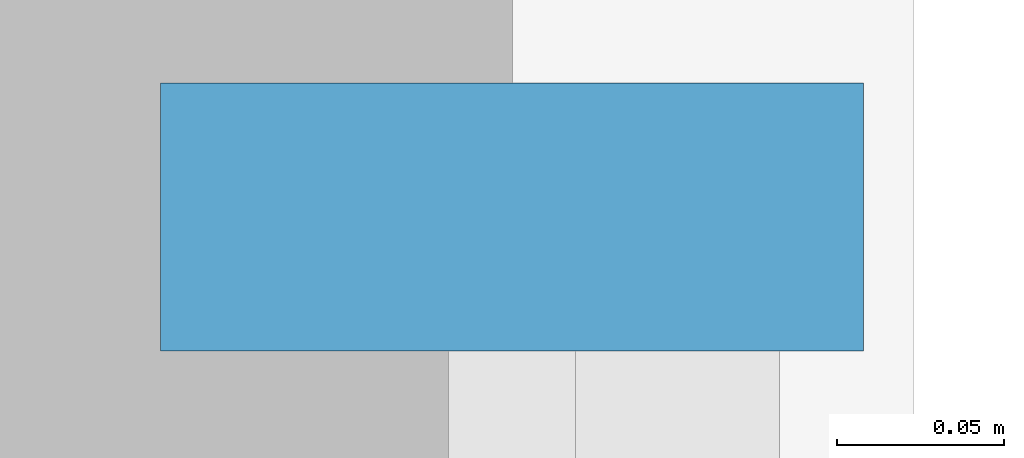
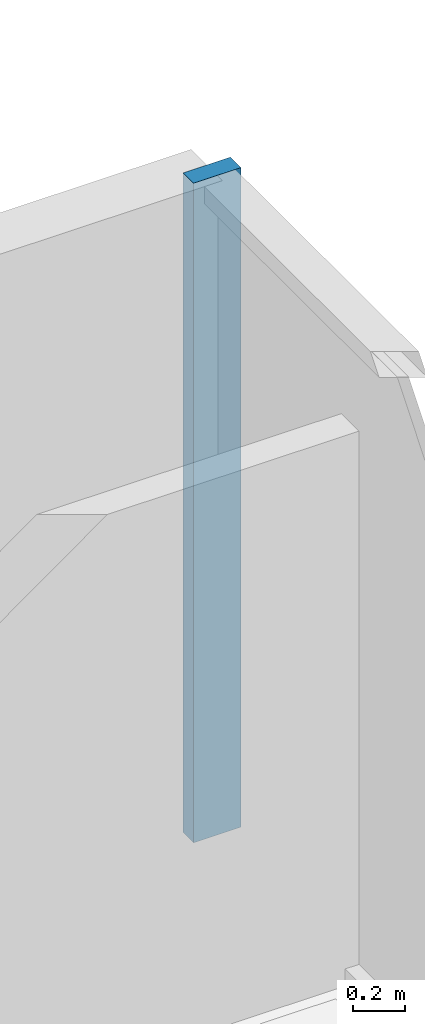
# One storey, part 5 of 12: 1 member, 1 element without a shape of its own.
"""IFC4 building model written with IfcOpenShell, lengths in metres."""

from ifc_helpers import new_model, si_unit, direction, frame, origin, origin_2d, place, context, subcontext, project, spatial, rectangle, extrude, source, transform, mapped, material, layer, layer_set, material_profile, profile_set, type_object, element, aggregate, save


model = new_model("IFC4")

# Units and contexts
model_context = context("Model", 3, precision=1e-05, world=origin(), true_north=direction((0.0, 1.0)))
body_context = subcontext(model_context, "Body", "Model", "MODEL_VIEW")
ifc_project = project(units=[si_unit("LENGTHUNIT", "METRE"), si_unit("AREAUNIT", "SQUARE_METRE"), si_unit("VOLUMEUNIT", "CUBIC_METRE"), si_unit("PLANEANGLEUNIT", "RADIAN"), si_unit("MASSUNIT", "GRAM", prefix="KILO")], contexts=[model_context])

# Site, building, storey
site_placement = place(None, origin())
site = spatial("IfcSite", under=ifc_project, at=site_placement, CompositionType="ELEMENT")
building_placement = place(site_placement, origin())
building = spatial("IfcBuilding", under=site, at=building_placement, Name="Qianlan Lanfeng Residences", CompositionType="ELEMENT")
storey_placement = place(building_placement, frame((0.0, 0.0, 44.0)))
storey = spatial("IfcBuildingStorey", under=building, at=storey_placement, Name="L11", CompositionType="ELEMENT", Elevation=44.0)

# Curtain wall, member
ifc_material = material(Name="Anodised Bronze Aluminium 6063-T6", Category="aluminium")
ifc_layer = layer(ifc_material, 0.219970703125)
ifc_layer_set = layer_set([ifc_layer], Name="Anodised Bronze Aluminium 6063-T6")
curtain_wall_type = type_object("IfcCurtainWallType", Name="CW-02", PredefinedType="NOTDEFINED", material=ifc_layer_set)
curtain_wall_placement = place(storey_placement, origin())
curtain_wall = element("IfcCurtainWall", 1, at=curtain_wall_placement, inside=storey, type_object=curtain_wall_type, Name="L11 Unitised Curtain Wall CWR-L11-05 (CW-02)", PredefinedType="NOTDEFINED")
ifc_material_profile = material_profile(ifc_material, rectangle(XDim=0.080078125, YDim=0.2099609375, at=origin_2d()), Name="ALU MULLION 80x210")
ifc_profile_set = profile_set([ifc_material_profile], Name="Anodised Bronze Aluminium 6063-T6")
member_type = type_object("IfcMemberType", Name="CWM-220", PredefinedType="MULLION", material=ifc_profile_set)
shared_shape = source(origin(), body_context, "Body", "SweptSolid", [
    extrude(rectangle(XDim=0.080078125, YDim=0.2099609375, at=origin_2d()), origin(), (0.0, 0.0, 1.0), 3.080078125),
])
member_placement = place(storey_placement, frame((52.8798828125, 34.889892578125, 0.0), z_axis=(0.0, 0.0, 1.0), x_axis=(0.0, 1.0, 0.0)))
member = element("IfcMember", 2, at=member_placement, type_object=member_type, Name="CWR-L11-05 Mullion 3", PredefinedType="MULLION", context=body_context, shape_type="MappedRepresentation", body=[
    mapped(shared_shape, transform((0.0, 0.0, 0.0), scale=1.0)),
])
aggregate(curtain_wall, [member])

save(model, "model.ifc")
